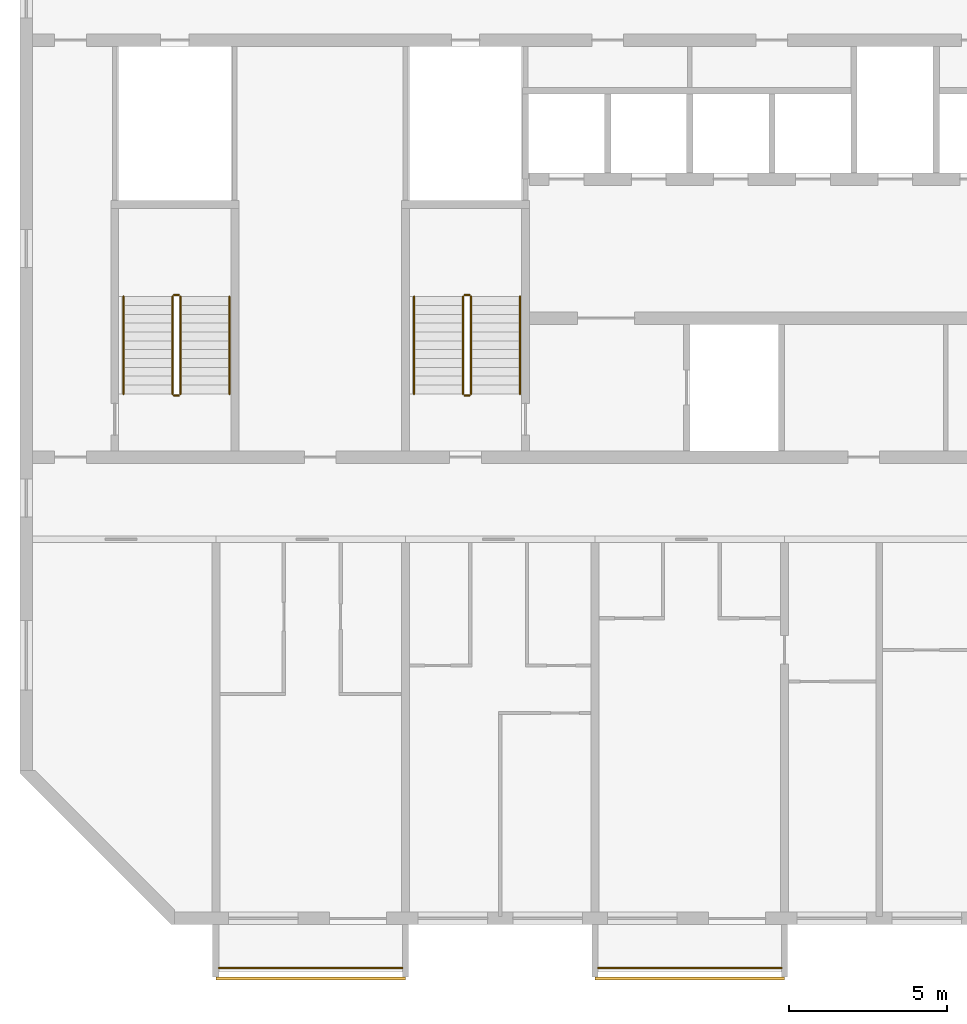
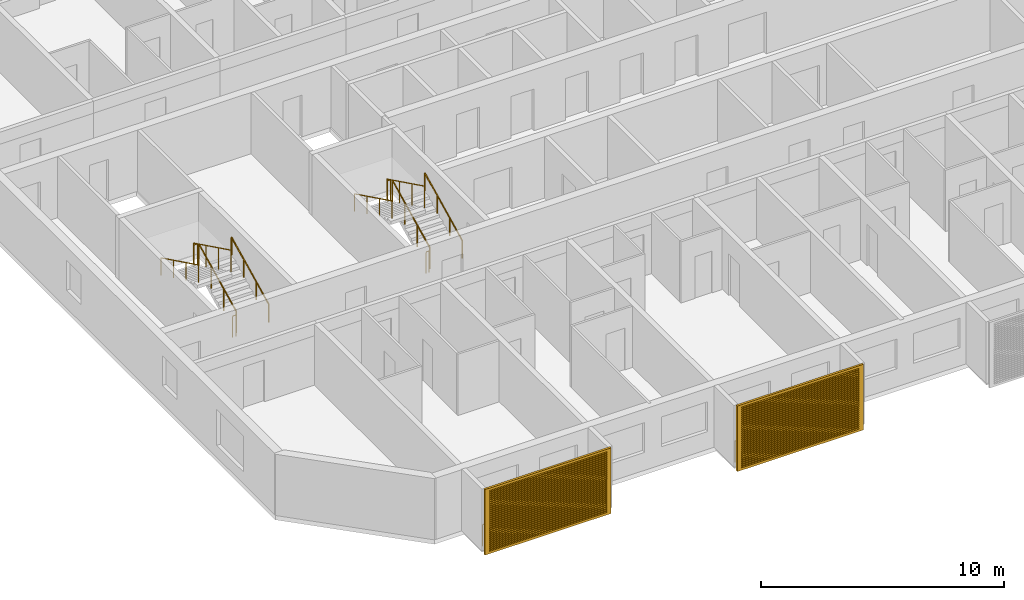
# One storey, part 12 of 26: 14 railings, 2 shading devices.
"""IFC4 building model written with IfcOpenShell, lengths in metres."""

from ifc_helpers import new_model, si_unit, direction, frame, origin, origin_2d, place, context, subcontext, project, spatial, polyline, circle, outline, extrude, source, transform, mapped, material, material_profile, profile_set, type_object, element, save


model = new_model("IFC4")

# Units and contexts
model_context = context("Model", 3, precision=1e-05, world=origin(), true_north=direction((0.0, 1.0)))
body_context = subcontext(model_context, "Body", "Model", "MODEL_VIEW")
ifc_project = project(units=[si_unit("LENGTHUNIT", "METRE"), si_unit("AREAUNIT", "SQUARE_METRE"), si_unit("VOLUMEUNIT", "CUBIC_METRE"), si_unit("PLANEANGLEUNIT", "RADIAN"), si_unit("MASSUNIT", "GRAM", prefix="KILO")], contexts=[model_context])

# Site, building, storey
site_placement = place(None, origin())
site = spatial("IfcSite", under=ifc_project, at=site_placement, CompositionType="ELEMENT")
building_placement = place(site_placement, origin())
building = spatial("IfcBuilding", under=site, at=building_placement, Name="Poui Terraces", CompositionType="ELEMENT")
storey_placement = place(building_placement, frame((0.0, 0.0, 178.5)))
storey = spatial("IfcBuildingStorey", under=building, at=storey_placement, Name="L49", CompositionType="ELEMENT", Elevation=178.5)

# Railings
ifc_material_1 = material(Name="Painted steel fretwork", Category="steel")
railing_type_1 = type_object("IfcRailingType", Name="BALCONY GUARD 1100", PredefinedType="GUARDRAIL", material=ifc_material_1)
for number, where, name in (
    (1, (24.10009765625, -1.570068359375, 0.0), "BALCONY GUARD"),
    (2, (36.10009765625, -1.570068359375, 0.0), "BALCONY GUARD"),
):
    element("IfcRailing", number, at=place(storey_placement, frame(where)), inside=storey, type_object=railing_type_1, Name=name, PredefinedType="GUARDRAIL", context=body_context, shape_type="SweptSolid", body=[
        extrude(circle(Radius=0.02392578125, at=origin_2d()), frame((0.0, 0.0, 1.076171875), z_axis=(1.0, 0.0, 0.0), x_axis=(0.0, 1.0, 0.0)), (0.0, 0.0, 1.0), 5.7998046875),
        extrude(circle(Radius=0.02099609375, at=origin_2d()), origin(), (0.0, 0.0, 1.0), 1.052001953125),
        extrude(circle(Radius=0.02099609375, at=origin_2d()), frame((0.966552734375, 0.0, 0.0)), (0.0, 0.0, 1.0), 1.052001953125),
        extrude(circle(Radius=0.02099609375, at=origin_2d()), frame((1.933349609375, 0.0, 0.0)), (0.0, 0.0, 1.0), 1.052001953125),
        extrude(circle(Radius=0.02099609375, at=origin_2d()), frame((2.89990234375, 0.0, 0.0)), (0.0, 0.0, 1.0), 1.052001953125),
        extrude(circle(Radius=0.02099609375, at=origin_2d()), frame((3.866455078125, 0.0, 0.0)), (0.0, 0.0, 1.0), 1.052001953125),
        extrude(circle(Radius=0.02099609375, at=origin_2d()), frame((4.833251953125, 0.0, 0.0)), (0.0, 0.0, 1.0), 1.052001953125),
        extrude(circle(Radius=0.02099609375, at=origin_2d()), frame((5.7998046875, 0.0, 0.0)), (0.0, 0.0, 1.0), 1.052001953125),
    ])
ifc_material_2 = material(Name="Galvanised steel balustrade", Category="steel")
railing_type_2 = type_object("IfcRailingType", Name="STAIR GUARD 1100", PredefinedType="GUARDRAIL", material=ifc_material_2)
railing_1_placement = place(storey_placement, frame((32.074951171875, 16.60009765625, 0.137451171875)))
element("IfcRailing", 3, at=railing_1_placement, inside=storey, type_object=railing_type_2, Name="L49 ST-CW stair guard 1", PredefinedType="GUARDRAIL", context=body_context, shape_type="SweptSolid", body=[
    extrude(circle(Radius=0.02392578125, at=origin_2d()), frame((0.0, 0.0, 1.076171875), z_axis=(0.0, 0.897606190399, 0.440798283751), x_axis=(-1.0, 0.0, 0.0)), (0.0, 0.0, 1.0), 3.43115234375),
    extrude(circle(Radius=0.02099609375, at=origin_2d()), origin(), (0.0, 0.0, 1.0), 1.052001953125),
    extrude(circle(Radius=0.02099609375, at=origin_2d()), frame((0.0, 1.026611328125, 0.504150390625)), (0.0, 0.0, 1.0), 1.052001953125),
    extrude(circle(Radius=0.02099609375, at=origin_2d()), frame((0.0, 2.05322265625, 1.00830078125)), (0.0, 0.0, 1.0), 1.052001953125),
    extrude(circle(Radius=0.02099609375, at=origin_2d()), frame((0.0, 3.079833984375, 1.512451171875)), (0.0, 0.0, 1.0), 1.052001953125),
])
railing_2_placement = place(storey_placement, frame((32.02490234375, 19.72998046875, 1.64990234375)))
element("IfcRailing", 4, at=railing_2_placement, inside=storey, type_object=railing_type_2, Name="L49 ST-CW stair guard 2", PredefinedType="GUARDRAIL", context=body_context, shape_type="SweptSolid", body=[
    extrude(circle(Radius=0.02392578125, at=origin_2d()), frame((0.0, 0.0, 1.076171875), z_axis=(-1.0, 0.0, 0.0), x_axis=(0.0, -1.0, 0.0)), (0.0, 0.0, 1.0), 0.14990234375),
    extrude(circle(Radius=0.02099609375, at=origin_2d()), origin(), (0.0, 0.0, 1.0), 1.052001953125),
    extrude(circle(Radius=0.02099609375, at=origin_2d()), frame((-0.14990234375, 0.0, 0.0)), (0.0, 0.0, 1.0), 1.052001953125),
])
railing_3_placement = place(storey_placement, frame((31.824951171875, 19.679931640625, 1.78759765625)))
element("IfcRailing", 5, at=railing_3_placement, inside=storey, type_object=railing_type_2, Name="L49 ST-CW stair guard 3", PredefinedType="GUARDRAIL", context=body_context, shape_type="SweptSolid", body=[
    extrude(circle(Radius=0.02392578125, at=origin_2d()), frame((0.0, 0.0, 1.076171875), z_axis=(0.0, -0.897606190399, 0.440798283751), x_axis=(1.0, 0.0, 0.0)), (0.0, 0.0, 1.0), 3.43115234375),
    extrude(circle(Radius=0.02099609375, at=origin_2d()), origin(), (0.0, 0.0, 1.0), 1.052001953125),
    extrude(circle(Radius=0.02099609375, at=origin_2d()), frame((0.0, -1.026611328125, 0.504150390625)), (0.0, 0.0, 1.0), 1.052001953125),
    extrude(circle(Radius=0.02099609375, at=origin_2d()), frame((0.0, -2.05322265625, 1.00830078125)), (0.0, 0.0, 1.0), 1.052001953125),
    extrude(circle(Radius=0.02099609375, at=origin_2d()), frame((0.0, -3.079833984375, 1.512451171875)), (0.0, 0.0, 1.0), 1.052001953125),
])
railing_4_placement = place(storey_placement, frame((32.02490234375, 16.550048828125, 0.0)))
element("IfcRailing", 6, at=railing_4_placement, inside=storey, type_object=railing_type_2, Name="L49 ST-CW stair guard 4", PredefinedType="GUARDRAIL", context=body_context, shape_type="SweptSolid", body=[
    extrude(circle(Radius=0.02392578125, at=origin_2d()), frame((0.0, 0.0, 1.076171875), z_axis=(-1.0, 0.0, 0.0), x_axis=(0.0, -1.0, 0.0)), (0.0, 0.0, 1.0), 0.14990234375),
    extrude(circle(Radius=0.02099609375, at=origin_2d()), origin(), (0.0, 0.0, 1.0), 1.052001953125),
    extrude(circle(Radius=0.02099609375, at=origin_2d()), frame((-0.14990234375, 0.0, 0.0)), (0.0, 0.0, 1.0), 1.052001953125),
])
railing_5_placement = place(storey_placement, frame((22.875, 16.60009765625, 0.137451171875)))
element("IfcRailing", 7, at=railing_5_placement, inside=storey, type_object=railing_type_2, Name="L49 ST-W stair guard 1", PredefinedType="GUARDRAIL", context=body_context, shape_type="SweptSolid", body=[
    extrude(circle(Radius=0.02392578125, at=origin_2d()), frame((0.0, 0.0, 1.076171875), z_axis=(0.0, 0.897606190399, 0.440798283751), x_axis=(-1.0, 0.0, 0.0)), (0.0, 0.0, 1.0), 3.43115234375),
    extrude(circle(Radius=0.02099609375, at=origin_2d()), origin(), (0.0, 0.0, 1.0), 1.052001953125),
    extrude(circle(Radius=0.02099609375, at=origin_2d()), frame((0.0, 1.026611328125, 0.504150390625)), (0.0, 0.0, 1.0), 1.052001953125),
    extrude(circle(Radius=0.02099609375, at=origin_2d()), frame((0.0, 2.05322265625, 1.00830078125)), (0.0, 0.0, 1.0), 1.052001953125),
    extrude(circle(Radius=0.02099609375, at=origin_2d()), frame((0.0, 3.079833984375, 1.512451171875)), (0.0, 0.0, 1.0), 1.052001953125),
])
railing_6_placement = place(storey_placement, frame((22.824951171875, 19.72998046875, 1.64990234375)))
element("IfcRailing", 8, at=railing_6_placement, inside=storey, type_object=railing_type_2, Name="L49 ST-W stair guard 2", PredefinedType="GUARDRAIL", context=body_context, shape_type="SweptSolid", body=[
    extrude(circle(Radius=0.02392578125, at=origin_2d()), frame((0.0, 0.0, 1.076171875), z_axis=(-1.0, 0.0, 0.0), x_axis=(0.0, -1.0, 0.0)), (0.0, 0.0, 1.0), 0.14990234375),
    extrude(circle(Radius=0.02099609375, at=origin_2d()), origin(), (0.0, 0.0, 1.0), 1.052001953125),
    extrude(circle(Radius=0.02099609375, at=origin_2d()), frame((-0.14990234375, 0.0, 0.0)), (0.0, 0.0, 1.0), 1.052001953125),
])
railing_7_placement = place(storey_placement, frame((22.625, 19.679931640625, 1.78759765625)))
element("IfcRailing", 9, at=railing_7_placement, inside=storey, type_object=railing_type_2, Name="L49 ST-W stair guard 3", PredefinedType="GUARDRAIL", context=body_context, shape_type="SweptSolid", body=[
    extrude(circle(Radius=0.02392578125, at=origin_2d()), frame((0.0, 0.0, 1.076171875), z_axis=(0.0, -0.897606190399, 0.440798283751), x_axis=(1.0, 0.0, 0.0)), (0.0, 0.0, 1.0), 3.43115234375),
    extrude(circle(Radius=0.02099609375, at=origin_2d()), origin(), (0.0, 0.0, 1.0), 1.052001953125),
    extrude(circle(Radius=0.02099609375, at=origin_2d()), frame((0.0, -1.026611328125, 0.504150390625)), (0.0, 0.0, 1.0), 1.052001953125),
    extrude(circle(Radius=0.02099609375, at=origin_2d()), frame((0.0, -2.05322265625, 1.00830078125)), (0.0, 0.0, 1.0), 1.052001953125),
    extrude(circle(Radius=0.02099609375, at=origin_2d()), frame((0.0, -3.079833984375, 1.512451171875)), (0.0, 0.0, 1.0), 1.052001953125),
])
railing_8_placement = place(storey_placement, frame((22.824951171875, 16.550048828125, 0.0)))
element("IfcRailing", 10, at=railing_8_placement, inside=storey, type_object=railing_type_2, Name="L49 ST-W stair guard 4", PredefinedType="GUARDRAIL", context=body_context, shape_type="SweptSolid", body=[
    extrude(circle(Radius=0.02392578125, at=origin_2d()), frame((0.0, 0.0, 1.076171875), z_axis=(-1.0, 0.0, 0.0), x_axis=(0.0, -1.0, 0.0)), (0.0, 0.0, 1.0), 0.14990234375),
    extrude(circle(Radius=0.02099609375, at=origin_2d()), origin(), (0.0, 0.0, 1.0), 1.052001953125),
    extrude(circle(Radius=0.02099609375, at=origin_2d()), frame((-0.14990234375, 0.0, 0.0)), (0.0, 0.0, 1.0), 1.052001953125),
])
ifc_material_3 = material(Name="Stainless steel handrail", Category="steel")
railing_type_3 = type_object("IfcRailingType", Name="STAIR HANDRAIL 900", PredefinedType="HANDRAIL", material=ifc_material_3)
railing_9_placement = place(storey_placement, frame((33.625, 16.60009765625, 0.137451171875)))
element("IfcRailing", 11, at=railing_9_placement, inside=storey, type_object=railing_type_3, Name="L49 ST-CW stair handrail 1", PredefinedType="HANDRAIL", context=body_context, shape_type="SweptSolid", body=[
    extrude(circle(Radius=0.02392578125, at=origin_2d()), frame((0.0, 0.0, 0.8759765625), z_axis=(0.0, 0.897606190399, 0.440798283751), x_axis=(-1.0, 0.0, 0.0)), (0.0, 0.0, 1.0), 3.43115234375),
    extrude(circle(Radius=0.02099609375, at=origin_2d()), origin(), (0.0, 0.0, 1.0), 0.851806640625),
    extrude(circle(Radius=0.02099609375, at=origin_2d()), frame((0.0, 1.026611328125, 0.504150390625)), (0.0, 0.0, 1.0), 0.851806640625),
    extrude(circle(Radius=0.02099609375, at=origin_2d()), frame((0.0, 2.05322265625, 1.00830078125)), (0.0, 0.0, 1.0), 0.851806640625),
    extrude(circle(Radius=0.02099609375, at=origin_2d()), frame((0.0, 3.079833984375, 1.512451171875)), (0.0, 0.0, 1.0), 0.851806640625),
])
railing_10_placement = place(storey_placement, frame((30.27490234375, 19.679931640625, 1.78759765625)))
element("IfcRailing", 12, at=railing_10_placement, inside=storey, type_object=railing_type_3, Name="L49 ST-CW stair handrail 2", PredefinedType="HANDRAIL", context=body_context, shape_type="SweptSolid", body=[
    extrude(circle(Radius=0.02392578125, at=origin_2d()), frame((0.0, 0.0, 0.8759765625), z_axis=(0.0, -0.897606190399, 0.440798283751), x_axis=(1.0, 0.0, 0.0)), (0.0, 0.0, 1.0), 3.43115234375),
    extrude(circle(Radius=0.02099609375, at=origin_2d()), origin(), (0.0, 0.0, 1.0), 0.851806640625),
    extrude(circle(Radius=0.02099609375, at=origin_2d()), frame((0.0, -1.026611328125, 0.504150390625)), (0.0, 0.0, 1.0), 0.851806640625),
    extrude(circle(Radius=0.02099609375, at=origin_2d()), frame((0.0, -2.05322265625, 1.00830078125)), (0.0, 0.0, 1.0), 0.851806640625),
    extrude(circle(Radius=0.02099609375, at=origin_2d()), frame((0.0, -3.079833984375, 1.512451171875)), (0.0, 0.0, 1.0), 0.851806640625),
])
railing_11_placement = place(storey_placement, frame((24.425048828125, 16.60009765625, 0.137451171875)))
element("IfcRailing", 13, at=railing_11_placement, inside=storey, type_object=railing_type_3, Name="L49 ST-W stair handrail 1", PredefinedType="HANDRAIL", context=body_context, shape_type="SweptSolid", body=[
    extrude(circle(Radius=0.02392578125, at=origin_2d()), frame((0.0, 0.0, 0.8759765625), z_axis=(0.0, 0.897606190399, 0.440798283751), x_axis=(-1.0, 0.0, 0.0)), (0.0, 0.0, 1.0), 3.43115234375),
    extrude(circle(Radius=0.02099609375, at=origin_2d()), origin(), (0.0, 0.0, 1.0), 0.851806640625),
    extrude(circle(Radius=0.02099609375, at=origin_2d()), frame((0.0, 1.026611328125, 0.504150390625)), (0.0, 0.0, 1.0), 0.851806640625),
    extrude(circle(Radius=0.02099609375, at=origin_2d()), frame((0.0, 2.05322265625, 1.00830078125)), (0.0, 0.0, 1.0), 0.851806640625),
    extrude(circle(Radius=0.02099609375, at=origin_2d()), frame((0.0, 3.079833984375, 1.512451171875)), (0.0, 0.0, 1.0), 0.851806640625),
])
railing_12_placement = place(storey_placement, frame((21.074951171875, 19.679931640625, 1.78759765625)))
element("IfcRailing", 14, at=railing_12_placement, inside=storey, type_object=railing_type_3, Name="L49 ST-W stair handrail 2", PredefinedType="HANDRAIL", context=body_context, shape_type="SweptSolid", body=[
    extrude(circle(Radius=0.02392578125, at=origin_2d()), frame((0.0, 0.0, 0.8759765625), z_axis=(0.0, -0.897606190399, 0.440798283751), x_axis=(1.0, 0.0, 0.0)), (0.0, 0.0, 1.0), 3.43115234375),
    extrude(circle(Radius=0.02099609375, at=origin_2d()), origin(), (0.0, 0.0, 1.0), 0.851806640625),
    extrude(circle(Radius=0.02099609375, at=origin_2d()), frame((0.0, -1.026611328125, 0.504150390625)), (0.0, 0.0, 1.0), 0.851806640625),
    extrude(circle(Radius=0.02099609375, at=origin_2d()), frame((0.0, -2.05322265625, 1.00830078125)), (0.0, 0.0, 1.0), 0.851806640625),
    extrude(circle(Radius=0.02099609375, at=origin_2d()), frame((0.0, -3.079833984375, 1.512451171875)), (0.0, 0.0, 1.0), 0.851806640625),
])

# Shading devices
ifc_material_4 = material(Name="Aluminium louvre", Category="aluminium")
ifc_material_profile = material_profile(ifc_material_4, outline(polyline([(-3.0, -1.64990234375), (3.0, -1.64990234375), (3.0, 1.64990234375), (-3.0, 1.64990234375), (-3.0, -1.64990234375)]), holes=[polyline([(-2.800048828125, -1.530029296875), (2.800048828125, -1.530029296875), (2.800048828125, -1.469970703125), (-2.800048828125, -1.469970703125), (-2.800048828125, -1.530029296875)]), polyline([(-2.800048828125, -1.429931640625), (2.800048828125, -1.429931640625), (2.800048828125, -1.3701171875), (-2.800048828125, -1.3701171875), (-2.800048828125, -1.429931640625)]), polyline([(-2.800048828125, -1.330078125), (2.800048828125, -1.330078125), (2.800048828125, -1.27001953125), (-2.800048828125, -1.27001953125), (-2.800048828125, -1.330078125)]), polyline([(-2.800048828125, -1.22998046875), (2.800048828125, -1.22998046875), (2.800048828125, -1.169921875), (-2.800048828125, -1.169921875), (-2.800048828125, -1.22998046875)]), polyline([(-2.800048828125, -1.1298828125), (2.800048828125, -1.1298828125), (2.800048828125, -1.070068359375), (-2.800048828125, -1.070068359375), (-2.800048828125, -1.1298828125)]), polyline([(-2.800048828125, -1.030029296875), (2.800048828125, -1.030029296875), (2.800048828125, -0.969970703125), (-2.800048828125, -0.969970703125), (-2.800048828125, -1.030029296875)]), polyline([(-2.800048828125, -0.929931640625), (2.800048828125, -0.929931640625), (2.800048828125, -0.8701171875), (-2.800048828125, -0.8701171875), (-2.800048828125, -0.929931640625)]), polyline([(-2.800048828125, -0.830078125), (2.800048828125, -0.830078125), (2.800048828125, -0.77001953125), (-2.800048828125, -0.77001953125), (-2.800048828125, -0.830078125)]), polyline([(-2.800048828125, -0.72998046875), (2.800048828125, -0.72998046875), (2.800048828125, -0.669921875), (-2.800048828125, -0.669921875), (-2.800048828125, -0.72998046875)]), polyline([(-2.800048828125, -0.6298828125), (2.800048828125, -0.6298828125), (2.800048828125, -0.570068359375), (-2.800048828125, -0.570068359375), (-2.800048828125, -0.6298828125)]), polyline([(-2.800048828125, -0.530029296875), (2.800048828125, -0.530029296875), (2.800048828125, -0.469970703125), (-2.800048828125, -0.469970703125), (-2.800048828125, -0.530029296875)]), polyline([(-2.800048828125, -0.429931640625), (2.800048828125, -0.429931640625), (2.800048828125, -0.3701171875), (-2.800048828125, -0.3701171875), (-2.800048828125, -0.429931640625)]), polyline([(-2.800048828125, -0.330078125), (2.800048828125, -0.330078125), (2.800048828125, -0.27001953125), (-2.800048828125, -0.27001953125), (-2.800048828125, -0.330078125)]), polyline([(-2.800048828125, -0.22998046875), (2.800048828125, -0.22998046875), (2.800048828125, -0.169921875), (-2.800048828125, -0.169921875), (-2.800048828125, -0.22998046875)]), polyline([(-2.800048828125, -0.1298828125), (2.800048828125, -0.1298828125), (2.800048828125, -0.070068359375), (-2.800048828125, -0.070068359375), (-2.800048828125, -0.1298828125)]), polyline([(-2.800048828125, -0.030029296875), (2.800048828125, -0.030029296875), (2.800048828125, 0.030029296875), (-2.800048828125, 0.030029296875), (-2.800048828125, -0.030029296875)]), polyline([(-2.800048828125, 0.070068359375), (2.800048828125, 0.070068359375), (2.800048828125, 0.1298828125), (-2.800048828125, 0.1298828125), (-2.800048828125, 0.070068359375)]), polyline([(-2.800048828125, 0.169921875), (2.800048828125, 0.169921875), (2.800048828125, 0.22998046875), (-2.800048828125, 0.22998046875), (-2.800048828125, 0.169921875)]), polyline([(-2.800048828125, 0.27001953125), (2.800048828125, 0.27001953125), (2.800048828125, 0.330078125), (-2.800048828125, 0.330078125), (-2.800048828125, 0.27001953125)]), polyline([(-2.800048828125, 0.3701171875), (2.800048828125, 0.3701171875), (2.800048828125, 0.429931640625), (-2.800048828125, 0.429931640625), (-2.800048828125, 0.3701171875)]), polyline([(-2.800048828125, 0.469970703125), (2.800048828125, 0.469970703125), (2.800048828125, 0.530029296875), (-2.800048828125, 0.530029296875), (-2.800048828125, 0.469970703125)]), polyline([(-2.800048828125, 0.570068359375), (2.800048828125, 0.570068359375), (2.800048828125, 0.6298828125), (-2.800048828125, 0.6298828125), (-2.800048828125, 0.570068359375)]), polyline([(-2.800048828125, 0.669921875), (2.800048828125, 0.669921875), (2.800048828125, 0.72998046875), (-2.800048828125, 0.72998046875), (-2.800048828125, 0.669921875)]), polyline([(-2.800048828125, 0.77001953125), (2.800048828125, 0.77001953125), (2.800048828125, 0.830078125), (-2.800048828125, 0.830078125), (-2.800048828125, 0.77001953125)]), polyline([(-2.800048828125, 0.8701171875), (2.800048828125, 0.8701171875), (2.800048828125, 0.929931640625), (-2.800048828125, 0.929931640625), (-2.800048828125, 0.8701171875)]), polyline([(-2.800048828125, 0.969970703125), (2.800048828125, 0.969970703125), (2.800048828125, 1.030029296875), (-2.800048828125, 1.030029296875), (-2.800048828125, 0.969970703125)]), polyline([(-2.800048828125, 1.070068359375), (2.800048828125, 1.070068359375), (2.800048828125, 1.1298828125), (-2.800048828125, 1.1298828125), (-2.800048828125, 1.070068359375)]), polyline([(-2.800048828125, 1.169921875), (2.800048828125, 1.169921875), (2.800048828125, 1.22998046875), (-2.800048828125, 1.22998046875), (-2.800048828125, 1.169921875)]), polyline([(-2.800048828125, 1.27001953125), (2.800048828125, 1.27001953125), (2.800048828125, 1.330078125), (-2.800048828125, 1.330078125), (-2.800048828125, 1.27001953125)]), polyline([(-2.800048828125, 1.3701171875), (2.800048828125, 1.3701171875), (2.800048828125, 1.429931640625), (-2.800048828125, 1.429931640625), (-2.800048828125, 1.3701171875)]), polyline([(-2.800048828125, 1.469970703125), (2.800048828125, 1.469970703125), (2.800048828125, 1.530029296875), (-2.800048828125, 1.530029296875), (-2.800048828125, 1.469970703125)])]), Name="JALOUSIE LOUVRE SHUTTER 6000X3300")
ifc_profile_set = profile_set([ifc_material_profile], Name="Aluminium louvre")
shading_device_type = type_object("IfcShadingDeviceType", Name="JALOUSIE LOUVRE SHUTTER 6000X3300", PredefinedType="JALOUSIE", material=ifc_profile_set)
shared_shape = source(origin(), body_context, "Body", "SweptSolid", [
    extrude(outline(polyline([(-3.0, -1.64990234375), (3.0, -1.64990234375), (3.0, 1.64990234375), (-3.0, 1.64990234375), (-3.0, -1.64990234375)]), holes=[polyline([(-2.800048828125, -1.530029296875), (2.800048828125, -1.530029296875), (2.800048828125, -1.469970703125), (-2.800048828125, -1.469970703125), (-2.800048828125, -1.530029296875)]), polyline([(-2.800048828125, -1.429931640625), (2.800048828125, -1.429931640625), (2.800048828125, -1.3701171875), (-2.800048828125, -1.3701171875), (-2.800048828125, -1.429931640625)]), polyline([(-2.800048828125, -1.330078125), (2.800048828125, -1.330078125), (2.800048828125, -1.27001953125), (-2.800048828125, -1.27001953125), (-2.800048828125, -1.330078125)]), polyline([(-2.800048828125, -1.22998046875), (2.800048828125, -1.22998046875), (2.800048828125, -1.169921875), (-2.800048828125, -1.169921875), (-2.800048828125, -1.22998046875)]), polyline([(-2.800048828125, -1.1298828125), (2.800048828125, -1.1298828125), (2.800048828125, -1.070068359375), (-2.800048828125, -1.070068359375), (-2.800048828125, -1.1298828125)]), polyline([(-2.800048828125, -1.030029296875), (2.800048828125, -1.030029296875), (2.800048828125, -0.969970703125), (-2.800048828125, -0.969970703125), (-2.800048828125, -1.030029296875)]), polyline([(-2.800048828125, -0.929931640625), (2.800048828125, -0.929931640625), (2.800048828125, -0.8701171875), (-2.800048828125, -0.8701171875), (-2.800048828125, -0.929931640625)]), polyline([(-2.800048828125, -0.830078125), (2.800048828125, -0.830078125), (2.800048828125, -0.77001953125), (-2.800048828125, -0.77001953125), (-2.800048828125, -0.830078125)]), polyline([(-2.800048828125, -0.72998046875), (2.800048828125, -0.72998046875), (2.800048828125, -0.669921875), (-2.800048828125, -0.669921875), (-2.800048828125, -0.72998046875)]), polyline([(-2.800048828125, -0.6298828125), (2.800048828125, -0.6298828125), (2.800048828125, -0.570068359375), (-2.800048828125, -0.570068359375), (-2.800048828125, -0.6298828125)]), polyline([(-2.800048828125, -0.530029296875), (2.800048828125, -0.530029296875), (2.800048828125, -0.469970703125), (-2.800048828125, -0.469970703125), (-2.800048828125, -0.530029296875)]), polyline([(-2.800048828125, -0.429931640625), (2.800048828125, -0.429931640625), (2.800048828125, -0.3701171875), (-2.800048828125, -0.3701171875), (-2.800048828125, -0.429931640625)]), polyline([(-2.800048828125, -0.330078125), (2.800048828125, -0.330078125), (2.800048828125, -0.27001953125), (-2.800048828125, -0.27001953125), (-2.800048828125, -0.330078125)]), polyline([(-2.800048828125, -0.22998046875), (2.800048828125, -0.22998046875), (2.800048828125, -0.169921875), (-2.800048828125, -0.169921875), (-2.800048828125, -0.22998046875)]), polyline([(-2.800048828125, -0.1298828125), (2.800048828125, -0.1298828125), (2.800048828125, -0.070068359375), (-2.800048828125, -0.070068359375), (-2.800048828125, -0.1298828125)]), polyline([(-2.800048828125, -0.030029296875), (2.800048828125, -0.030029296875), (2.800048828125, 0.030029296875), (-2.800048828125, 0.030029296875), (-2.800048828125, -0.030029296875)]), polyline([(-2.800048828125, 0.070068359375), (2.800048828125, 0.070068359375), (2.800048828125, 0.1298828125), (-2.800048828125, 0.1298828125), (-2.800048828125, 0.070068359375)]), polyline([(-2.800048828125, 0.169921875), (2.800048828125, 0.169921875), (2.800048828125, 0.22998046875), (-2.800048828125, 0.22998046875), (-2.800048828125, 0.169921875)]), polyline([(-2.800048828125, 0.27001953125), (2.800048828125, 0.27001953125), (2.800048828125, 0.330078125), (-2.800048828125, 0.330078125), (-2.800048828125, 0.27001953125)]), polyline([(-2.800048828125, 0.3701171875), (2.800048828125, 0.3701171875), (2.800048828125, 0.429931640625), (-2.800048828125, 0.429931640625), (-2.800048828125, 0.3701171875)]), polyline([(-2.800048828125, 0.469970703125), (2.800048828125, 0.469970703125), (2.800048828125, 0.530029296875), (-2.800048828125, 0.530029296875), (-2.800048828125, 0.469970703125)]), polyline([(-2.800048828125, 0.570068359375), (2.800048828125, 0.570068359375), (2.800048828125, 0.6298828125), (-2.800048828125, 0.6298828125), (-2.800048828125, 0.570068359375)]), polyline([(-2.800048828125, 0.669921875), (2.800048828125, 0.669921875), (2.800048828125, 0.72998046875), (-2.800048828125, 0.72998046875), (-2.800048828125, 0.669921875)]), polyline([(-2.800048828125, 0.77001953125), (2.800048828125, 0.77001953125), (2.800048828125, 0.830078125), (-2.800048828125, 0.830078125), (-2.800048828125, 0.77001953125)]), polyline([(-2.800048828125, 0.8701171875), (2.800048828125, 0.8701171875), (2.800048828125, 0.929931640625), (-2.800048828125, 0.929931640625), (-2.800048828125, 0.8701171875)]), polyline([(-2.800048828125, 0.969970703125), (2.800048828125, 0.969970703125), (2.800048828125, 1.030029296875), (-2.800048828125, 1.030029296875), (-2.800048828125, 0.969970703125)]), polyline([(-2.800048828125, 1.070068359375), (2.800048828125, 1.070068359375), (2.800048828125, 1.1298828125), (-2.800048828125, 1.1298828125), (-2.800048828125, 1.070068359375)]), polyline([(-2.800048828125, 1.169921875), (2.800048828125, 1.169921875), (2.800048828125, 1.22998046875), (-2.800048828125, 1.22998046875), (-2.800048828125, 1.169921875)]), polyline([(-2.800048828125, 1.27001953125), (2.800048828125, 1.27001953125), (2.800048828125, 1.330078125), (-2.800048828125, 1.330078125), (-2.800048828125, 1.27001953125)]), polyline([(-2.800048828125, 1.3701171875), (2.800048828125, 1.3701171875), (2.800048828125, 1.429931640625), (-2.800048828125, 1.429931640625), (-2.800048828125, 1.3701171875)]), polyline([(-2.800048828125, 1.469970703125), (2.800048828125, 1.469970703125), (2.800048828125, 1.530029296875), (-2.800048828125, 1.530029296875), (-2.800048828125, 1.469970703125)])]), origin(), (0.0, 0.0, 1.0), 0.099853515625),
])
for number, where, z_axis, x_axis, name in (
    (15, (27.0, -1.85009765625, 1.449951171875), (0.0, -1.0, 0.0), (1.0, 0.0, 0.0), "JALOUSIE LOUVRE SHUTTER"),
    (16, (39.0, -1.85009765625, 1.449951171875), (0.0, -1.0, 0.0), (1.0, 0.0, 0.0), "JALOUSIE LOUVRE SHUTTER"),
):
    element("IfcShadingDevice", number, at=place(storey_placement, frame(where, z_axis=z_axis, x_axis=x_axis)), inside=storey, type_object=shading_device_type, Name=name, PredefinedType="JALOUSIE", context=body_context, shape_type="MappedRepresentation", body=[
        mapped(shared_shape, transform((0.0, 0.0, 0.0))),
    ])

save(model, "model.ifc")
